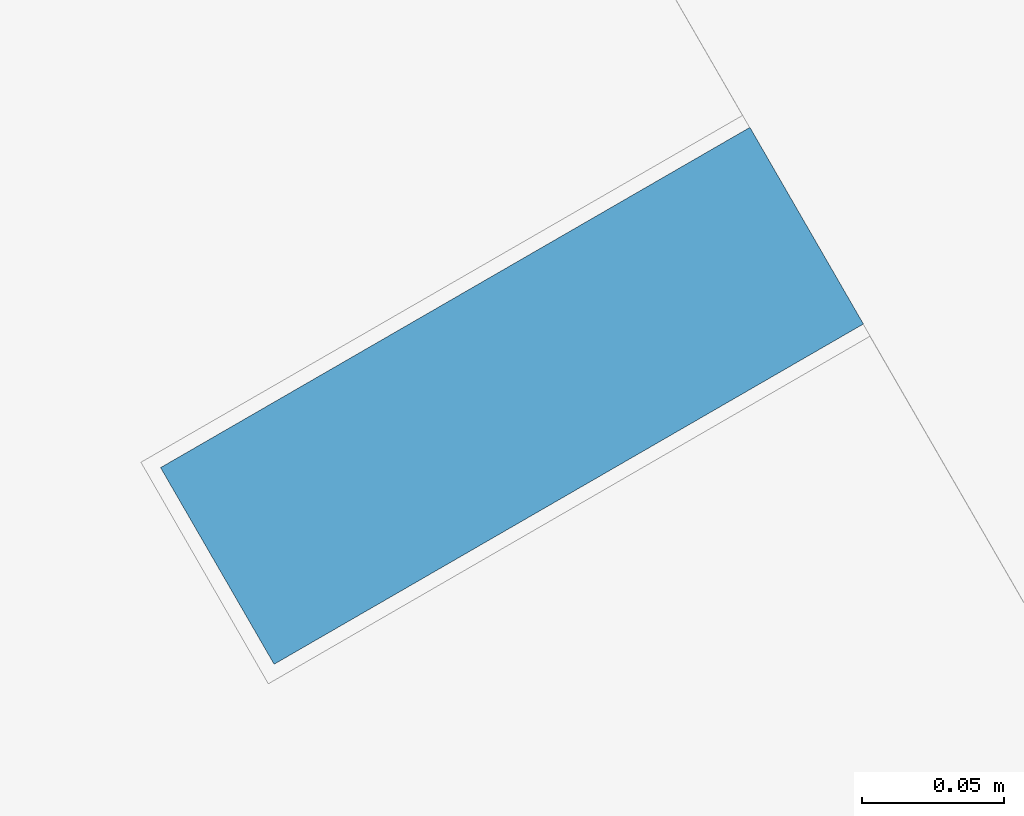
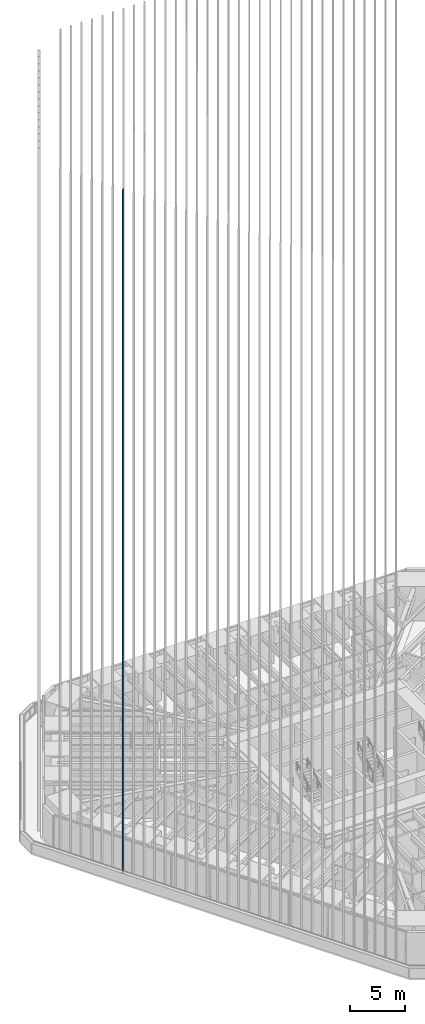
# One storey, part 52 of 238: 1 member, 1 element without a shape of its own.
"""IFC4 building model written with IfcOpenShell, lengths in metres."""

from ifc_helpers import new_model, si_unit, direction, frame, origin, origin_2d, place, context, subcontext, project, spatial, rectangle, extrude, material, material_profile, profile_set, type_object, element, aggregate, save


model = new_model("IFC4")

# Units and contexts
model_context = context("Model", 3, precision=1e-05, world=origin(), true_north=direction((0.0, 1.0)))
body_context = subcontext(model_context, "Body", "Model", "MODEL_VIEW")
ifc_project = project(units=[si_unit("LENGTHUNIT", "METRE"), si_unit("AREAUNIT", "SQUARE_METRE"), si_unit("VOLUMEUNIT", "CUBIC_METRE"), si_unit("PLANEANGLEUNIT", "RADIAN"), si_unit("MASSUNIT", "GRAM", prefix="KILO")], contexts=[model_context])

# Site, building, storey
site_placement = place(None, origin())
site = spatial("IfcSite", under=ifc_project, at=site_placement, CompositionType="ELEMENT")
building_placement = place(site_placement, origin())
building = spatial("IfcBuilding", under=site, at=building_placement, Name="Sandreach Pilgrim Tower", CompositionType="ELEMENT")
storey_placement = place(building_placement, frame((0.0, 0.0, 96.800048828125)))
storey = spatial("IfcBuildingStorey", under=building, at=storey_placement, Name="L23", CompositionType="ELEMENT", Elevation=96.800048828125)

# Curtain wall, member
ifc_material_1 = material(Name="Aluminium framed curtain wall", Category="aluminium")
curtain_wall_type = type_object("IfcCurtainWallType", Name="Hotel tower curtain wall", PredefinedType="NOTDEFINED", material=ifc_material_1)
curtain_wall_placement = place(storey_placement, origin())
curtain_wall = element("IfcCurtainWall", 1, at=curtain_wall_placement, inside=storey, type_object=curtain_wall_type, Name="CW-2 L23 SW", PredefinedType="NOTDEFINED")
ifc_material_2 = material(Name="Extruded terracotta on aluminium core", Category="masonry")
ifc_material_profile = material_profile(ifc_material_2, rectangle(XDim=0.080078125, YDim=0.239990234375, at=origin_2d()), Name="TBW 80X240")
ifc_profile_set = profile_set([ifc_material_profile], Name="Extruded terracotta on aluminium core")
member_type = type_object("IfcMemberType", Name="Terracotta baguette west", PredefinedType="USERDEFINED", material=ifc_profile_set)
member_placement = place(storey_placement, frame((-25.350830078125, -1.91845703125, 0.0), z_axis=(0.0, 0.0, 1.0), x_axis=(-0.5, 0.866025403784, 0.0)))
member = element("IfcMember", 2, at=member_placement, type_object=member_type, Name="Baguette Z2 SW27", ObjectType="BAGUETTE", PredefinedType="USERDEFINED", context=body_context, shape_type="SweptSolid", body=[
    extrude(rectangle(XDim=0.080078125, YDim=0.239990234375, at=origin_2d()), origin(), (0.0, 0.0, 1.0), 75.83984375),
])
aggregate(curtain_wall, [member])

save(model, "model.ifc")
